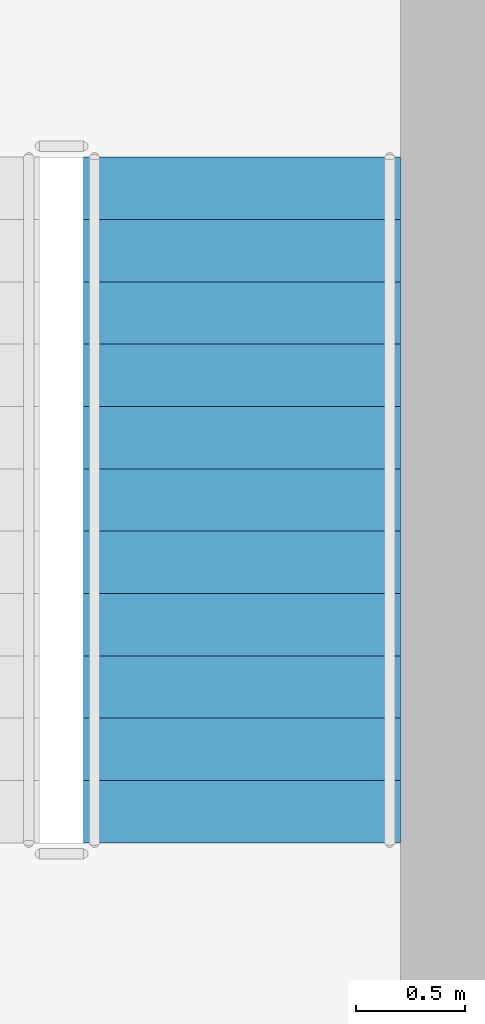
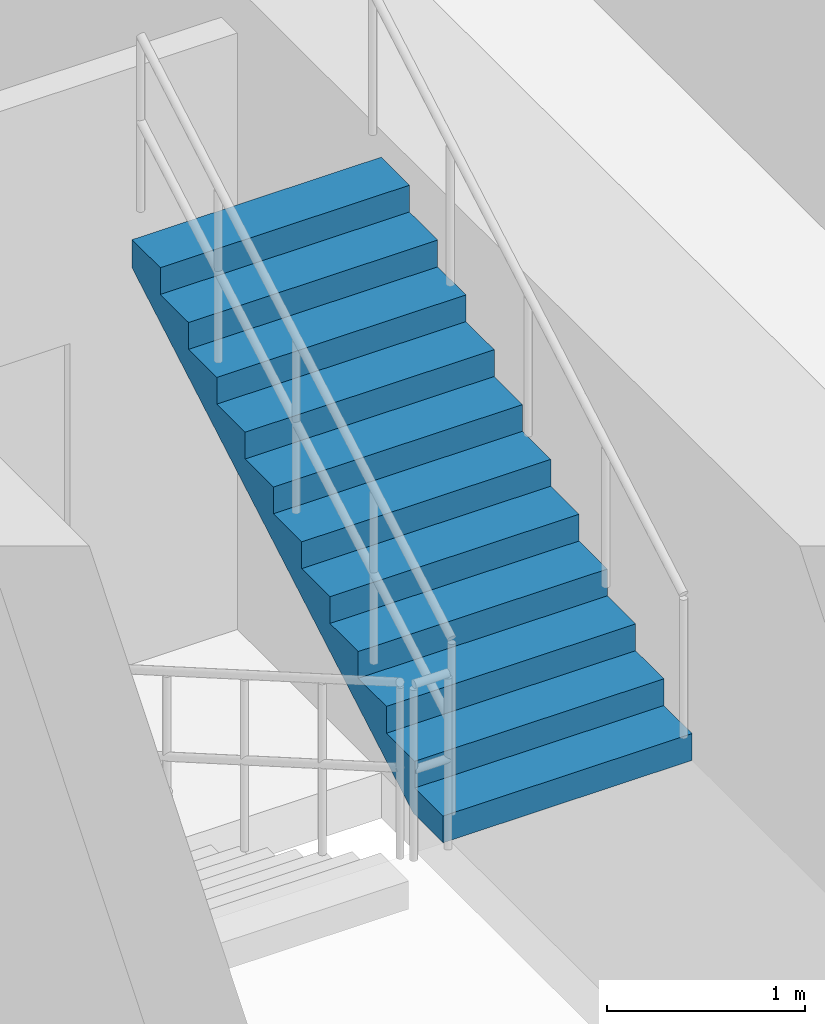
# One storey, part 24 of 26: 1 stair flight, 1 element without a shape of its own.
"""IFC4 building model written with IfcOpenShell, lengths in metres."""

from ifc_helpers import new_model, si_unit, direction, frame, origin, place, context, subcontext, project, spatial, polyline, outline, extrude, material, type_object, element, aggregate, save


model = new_model("IFC4")

# Units and contexts
model_context = context("Model", 3, precision=1e-05, world=origin(), true_north=direction((0.0, 1.0)))
body_context = subcontext(model_context, "Body", "Model", "MODEL_VIEW")
ifc_project = project(units=[si_unit("LENGTHUNIT", "METRE"), si_unit("AREAUNIT", "SQUARE_METRE"), si_unit("VOLUMEUNIT", "CUBIC_METRE"), si_unit("PLANEANGLEUNIT", "RADIAN"), si_unit("MASSUNIT", "GRAM", prefix="KILO")], contexts=[model_context])

# Site, building, storey
site_placement = place(None, origin())
site = spatial("IfcSite", under=ifc_project, at=site_placement, CompositionType="ELEMENT")
building_placement = place(site_placement, origin())
building = spatial("IfcBuilding", under=site, at=building_placement, Name="Krantzveldt Concourse Tower", CompositionType="ELEMENT")
storey_placement = place(building_placement, frame((0.0, 0.0, 207.300048828125)))
storey = spatial("IfcBuildingStorey", under=building, at=storey_placement, Name="L50", CompositionType="ELEMENT", Elevation=207.300048828125)

# Stair, stair flight
ifc_material = material(Name="Precast concrete C40/50", Category="concrete")
stair_type = type_object("IfcStairType", Name="STR-CORE-DOGLEG", PredefinedType="HALF_TURN_STAIR", material=ifc_material)
stair_placement = place(storey_placement, origin())
stair = element("IfcStair", 1, at=stair_placement, inside=storey, type_object=stair_type, Name="L50 Protected Escape Stair ST-2", PredefinedType="HALF_TURN_STAIR")
stair_flight_type = type_object("IfcStairFlightType", Name="STF-CORE-1450", PredefinedType="STRAIGHT", material=ifc_material)
stair_flight_placement = place(storey_placement, frame((42.39501953125, 16.4150390625, 1.974853515625), z_axis=(0.0, 0.0, 1.0), x_axis=(0.0, 1.0, 0.0)))
stair_flight = element("IfcStairFlight", 2, at=stair_flight_placement, type_object=stair_flight_type, Name="ST-2 flight 2", NumberOfRisers=12, NumberOfTreads=11, PredefinedType="STRAIGHT", RiserHeight=0.164583333, TreadLength=0.285, context=body_context, shape_type="SweptSolid", body=[
    extrude(outline(polyline([(0.0, 0.0), (0.0, 0.16455078125), (0.284912109375, 0.16455078125), (0.284912109375, 0.3291015625), (0.570068359375, 0.3291015625), (0.570068359375, 0.49365234375), (0.85498046875, 0.49365234375), (0.85498046875, 0.658447265625), (1.139892578125, 0.658447265625), (1.139892578125, 0.822998046875), (1.425048828125, 0.822998046875), (1.425048828125, 0.987548828125), (1.7099609375, 0.987548828125), (1.7099609375, 1.152099609375), (1.9951171875, 1.152099609375), (1.9951171875, 1.316650390625), (2.280029296875, 1.316650390625), (2.280029296875, 1.481201171875), (2.56494140625, 1.481201171875), (2.56494140625, 1.645751953125), (2.85009765625, 1.645751953125), (2.85009765625, 1.810302734375), (3.135009765625, 1.810302734375), (3.135009765625, 1.97509765625), (3.135009765625, 1.63720703125), (0.2998046875, 0.0), (0.0, 0.0)])), frame((0.0, 0.72509765625, 0.0), z_axis=(0.0, -1.0, 0.0), x_axis=(1.0, 0.0, 0.0)), (0.0, 0.0, 1.0), 1.449951171875),
])
aggregate(stair, [stair_flight])

save(model, "model.ifc")
